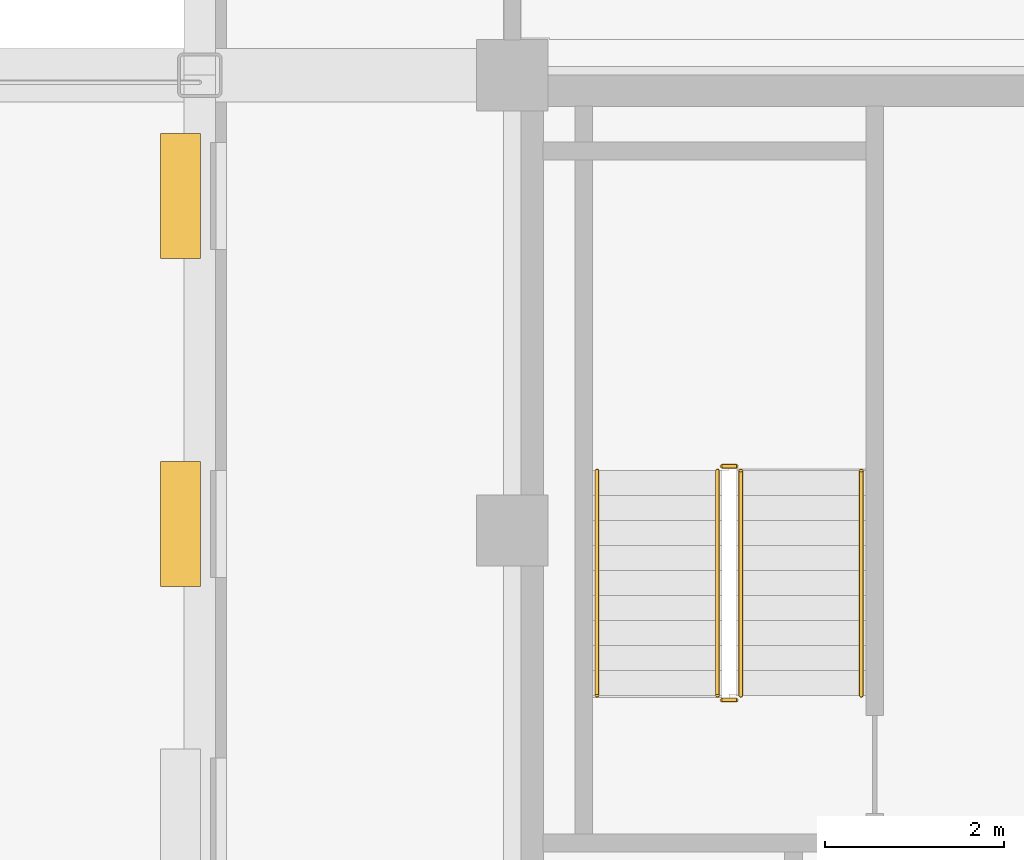
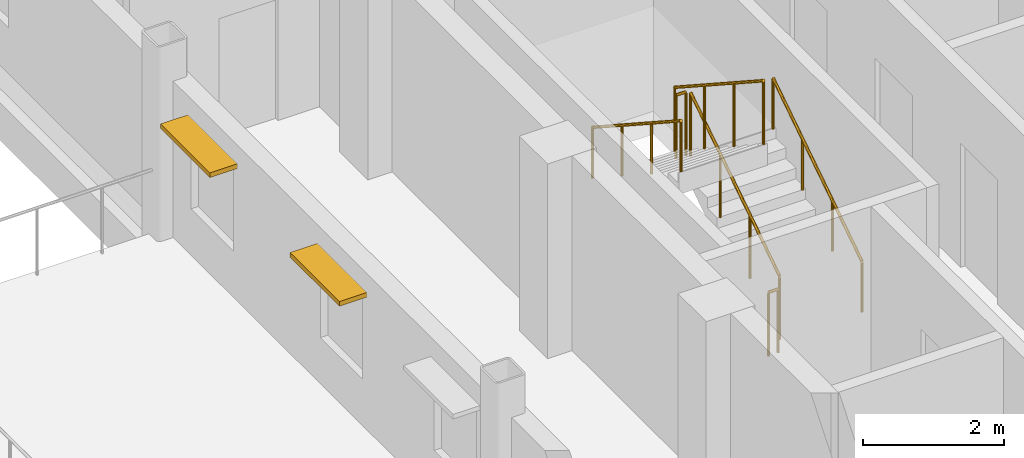
# One storey, part 12 of 14: 6 railings, 2 shading devices.
"""IFC4 building model written with IfcOpenShell, lengths in metres."""

from ifc_helpers import new_model, si_unit, direction, frame, origin, origin_2d, place, context, subcontext, project, spatial, rectangle, circle, extrude, source, transform, mapped, material, type_object, type_shapes, element, save


model = new_model("IFC4")

# Units and contexts
model_context = context("Model", 3, precision=1e-05, world=origin(), true_north=direction((0.0, 1.0)))
body_context = subcontext(model_context, "Body", "Model", "MODEL_VIEW")
ifc_project = project(units=[si_unit("LENGTHUNIT", "METRE"), si_unit("AREAUNIT", "SQUARE_METRE"), si_unit("VOLUMEUNIT", "CUBIC_METRE"), si_unit("PLANEANGLEUNIT", "RADIAN"), si_unit("MASSUNIT", "GRAM", prefix="KILO")], contexts=[model_context])

# Site, building, storey
site_placement = place(None, origin())
site = spatial("IfcSite", under=ifc_project, at=site_placement, CompositionType="ELEMENT")
building_placement = place(site_placement, origin())
building = spatial("IfcBuilding", under=site, at=building_placement, Name="Nuvemarco Arch Tower", CompositionType="ELEMENT")
storey_placement = place(building_placement, frame((0.0, 0.0, 245.64990234375)))
storey = spatial("IfcBuildingStorey", under=building, at=storey_placement, Name="L65", CompositionType="ELEMENT", Elevation=245.64990234375)

# Railings
ifc_material_1 = material(Name="Brushed stainless steel handrail", Category="steel")
railing_type_1 = type_object("IfcRailingType", Name="RL-HANDRAIL-900", PredefinedType="HANDRAIL", material=ifc_material_1)
railing_1_placement = place(storey_placement, frame((-13.590087890625, 2.64990234375, 0.1826171875)))
element("IfcRailing", 1, at=railing_1_placement, inside=storey, type_object=railing_type_1, Name="L65 ST-1 stair handrail 1", PredefinedType="HANDRAIL", context=body_context, shape_type="SweptSolid", body=[
    extrude(circle(Radius=0.02392578125, at=origin_2d()), frame((0.0, 0.0, 0.8759765625), z_axis=(0.0, 0.837749427056, 0.546054848405), x_axis=(-1.0, 0.0, 0.0)), (0.0, 0.0, 1.0), 3.008056640625),
    extrude(circle(Radius=0.02099609375, at=origin_2d()), origin(), (0.0, 0.0, 1.0), 0.851806640625),
    extrude(circle(Radius=0.02099609375, at=origin_2d()), frame((0.0, 0.840087890625, 0.547607421875)), (0.0, 0.0, 1.0), 0.851806640625),
    extrude(circle(Radius=0.02099609375, at=origin_2d()), frame((0.0, 1.679931640625, 1.094970703125)), (0.0, 0.0, 1.0), 0.851806640625),
    extrude(circle(Radius=0.02099609375, at=origin_2d()), frame((0.0, 2.52001953125, 1.642578125)), (0.0, 0.0, 1.0), 0.851806640625),
])
railing_2_placement = place(storey_placement, frame((-16.550048828125, 5.169921875, 2.007568359375)))
element("IfcRailing", 2, at=railing_2_placement, inside=storey, type_object=railing_type_1, Name="L65 ST-1 stair handrail 2", PredefinedType="HANDRAIL", context=body_context, shape_type="SweptSolid", body=[
    extrude(circle(Radius=0.02392578125, at=origin_2d()), frame((0.0, 0.0, 0.8759765625), z_axis=(0.0, -0.837749427056, 0.546054848405), x_axis=(1.0, 0.0, 0.0)), (0.0, 0.0, 1.0), 3.008056640625),
    extrude(circle(Radius=0.02099609375, at=origin_2d()), origin(), (0.0, 0.0, 1.0), 0.851806640625),
    extrude(circle(Radius=0.02099609375, at=origin_2d()), frame((0.0, -0.840087890625, 0.547607421875)), (0.0, 0.0, 1.0), 0.851806640625),
    extrude(circle(Radius=0.02099609375, at=origin_2d()), frame((0.0, -1.679931640625, 1.094970703125)), (0.0, 0.0, 1.0), 0.851806640625),
    extrude(circle(Radius=0.02099609375, at=origin_2d()), frame((0.0, -2.52001953125, 1.642578125)), (0.0, 0.0, 1.0), 0.851806640625),
])
ifc_material_2 = material(Name="Painted balustrade steel S355", Category="steel")
railing_type_2 = type_object("IfcRailingType", Name="RL-STAIR-GUARD", PredefinedType="GUARDRAIL", material=ifc_material_2)
railing_3_placement = place(storey_placement, frame((-14.93994140625, 2.64990234375, 0.1826171875)))
element("IfcRailing", 3, at=railing_3_placement, inside=storey, type_object=railing_type_2, Name="L65 ST-1 stair guard 1", PredefinedType="GUARDRAIL", context=body_context, shape_type="SweptSolid", body=[
    extrude(circle(Radius=0.02392578125, at=origin_2d()), frame((0.0, 0.0, 1.09619140625), z_axis=(0.0, 0.837749427056, 0.546054848405), x_axis=(-1.0, 0.0, 0.0)), (0.0, 0.0, 1.0), 3.008056640625),
    extrude(circle(Radius=0.02099609375, at=origin_2d()), origin(), (0.0, 0.0, 1.0), 1.072021484375),
    extrude(circle(Radius=0.02099609375, at=origin_2d()), frame((0.0, 0.840087890625, 0.547607421875)), (0.0, 0.0, 1.0), 1.072021484375),
    extrude(circle(Radius=0.02099609375, at=origin_2d()), frame((0.0, 1.679931640625, 1.094970703125)), (0.0, 0.0, 1.0), 1.072021484375),
    extrude(circle(Radius=0.02099609375, at=origin_2d()), frame((0.0, 2.52001953125, 1.642578125)), (0.0, 0.0, 1.0), 1.072021484375),
])
railing_4_placement = place(storey_placement, frame((-14.989990234375, 5.219970703125, 1.8251953125)))
element("IfcRailing", 4, at=railing_4_placement, inside=storey, type_object=railing_type_2, Name="L65 ST-1 stair guard 2", PredefinedType="GUARDRAIL", context=body_context, shape_type="SweptSolid", body=[
    extrude(circle(Radius=0.02392578125, at=origin_2d()), frame((0.0, 0.0, 1.09619140625), z_axis=(-1.0, 0.0, 0.0), x_axis=(0.0, -1.0, 0.0)), (0.0, 0.0, 1.0), 0.159912109375),
    extrude(circle(Radius=0.02099609375, at=origin_2d()), origin(), (0.0, 0.0, 1.0), 1.072021484375),
    extrude(circle(Radius=0.02099609375, at=origin_2d()), frame((-0.159912109375, 0.0, 0.0)), (0.0, 0.0, 1.0), 1.072021484375),
])
railing_5_placement = place(storey_placement, frame((-15.199951171875, 5.169921875, 2.007568359375)))
element("IfcRailing", 5, at=railing_5_placement, inside=storey, type_object=railing_type_2, Name="L65 ST-1 stair guard 3", PredefinedType="GUARDRAIL", context=body_context, shape_type="SweptSolid", body=[
    extrude(circle(Radius=0.02392578125, at=origin_2d()), frame((0.0, 0.0, 1.09619140625), z_axis=(0.0, -0.837749427056, 0.546054848405), x_axis=(1.0, 0.0, 0.0)), (0.0, 0.0, 1.0), 3.008056640625),
    extrude(circle(Radius=0.02099609375, at=origin_2d()), origin(), (0.0, 0.0, 1.0), 1.072021484375),
    extrude(circle(Radius=0.02099609375, at=origin_2d()), frame((0.0, -0.840087890625, 0.547607421875)), (0.0, 0.0, 1.0), 1.072021484375),
    extrude(circle(Radius=0.02099609375, at=origin_2d()), frame((0.0, -1.679931640625, 1.094970703125)), (0.0, 0.0, 1.0), 1.072021484375),
    extrude(circle(Radius=0.02099609375, at=origin_2d()), frame((0.0, -2.52001953125, 1.642578125)), (0.0, 0.0, 1.0), 1.072021484375),
])
railing_6_placement = place(storey_placement, frame((-14.989990234375, 2.60009765625, 0.0)))
element("IfcRailing", 6, at=railing_6_placement, inside=storey, type_object=railing_type_2, Name="L65 ST-1 stair guard 4", PredefinedType="GUARDRAIL", context=body_context, shape_type="SweptSolid", body=[
    extrude(circle(Radius=0.02392578125, at=origin_2d()), frame((0.0, 0.0, 1.09619140625), z_axis=(-1.0, 0.0, 0.0), x_axis=(0.0, -1.0, 0.0)), (0.0, 0.0, 1.0), 0.159912109375),
    extrude(circle(Radius=0.02099609375, at=origin_2d()), origin(), (0.0, 0.0, 1.0), 1.072021484375),
    extrude(circle(Radius=0.02099609375, at=origin_2d()), frame((-0.159912109375, 0.0, 0.0)), (0.0, 0.0, 1.0), 1.072021484375),
])

# Shading devices
ifc_material_3 = material(Name="Anodised aluminium 6063-T6", Category="aluminium")
shading_device_type = type_object("IfcShadingDeviceType", Name="SHD-BRISE-NARROW", PredefinedType="USERDEFINED", material=ifc_material_3)
shared_shape = source(origin(), body_context, "Body", "SweptSolid", [
    extrude(rectangle(XDim=1.39990234375, YDim=0.449951171875, at=origin_2d()), origin(), (0.0, 0.0, 1.0), 0.080078125),
])
type_shapes(shading_device_type, [shared_shape])
for number, where, z_axis, x_axis, name in (
    (7, (-21.215087890625, 4.572509765625, 2.28515625), (0.0, 0.0, 1.0), (0.0, 1.0, 0.0), "L65 horizontal brise-soleil sunshade"),
    (8, (-21.215087890625, 8.2451171875, 2.28515625), (0.0, 0.0, 1.0), (0.0, 1.0, 0.0), "L65 horizontal brise-soleil sunshade"),
):
    element("IfcShadingDevice", number, at=place(storey_placement, frame(where, z_axis=z_axis, x_axis=x_axis)), inside=storey, type_object=shading_device_type, Name=name, ObjectType="SUNSHADE", PredefinedType="USERDEFINED", context=body_context, shape_type="MappedRepresentation", body=[
        mapped(shared_shape, transform((0.0, 0.0, 0.0), scale=1.0)),
    ])

save(model, "model.ifc")
